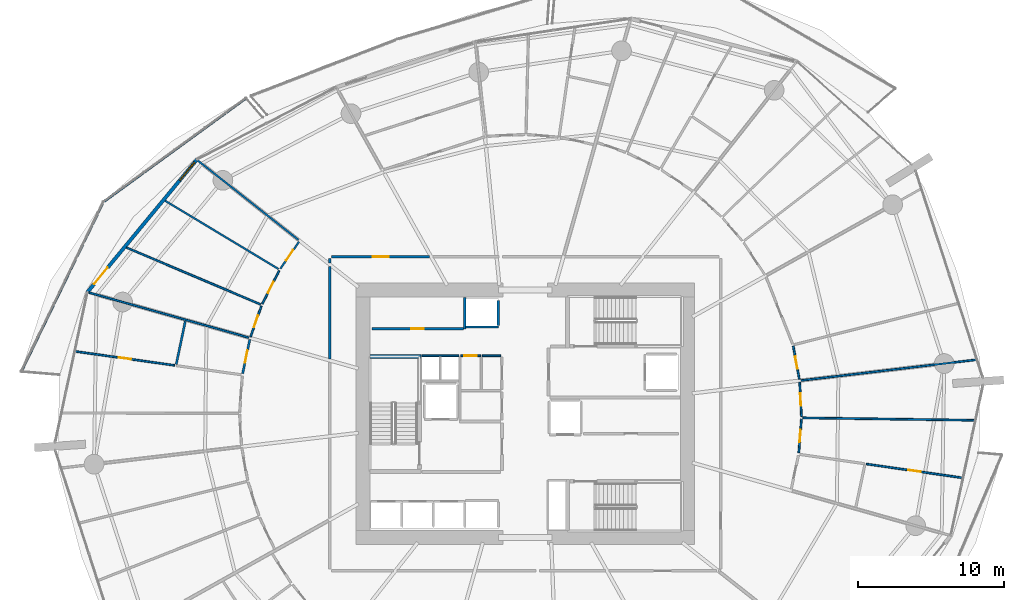
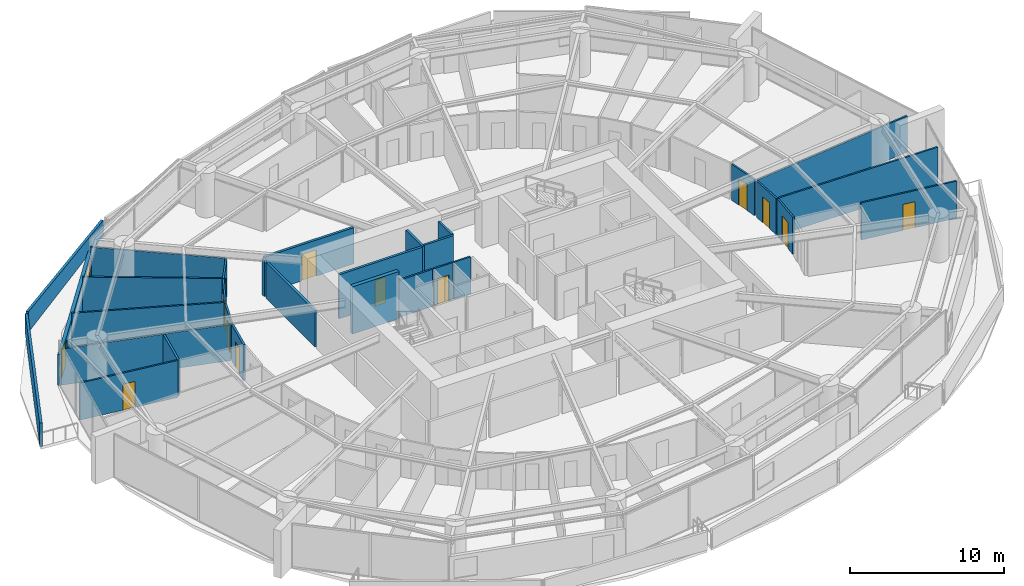
# One storey, part 22 of 31: 30 walls, 13 doors, 1 window, 14 openings.
"""IFC4 building model written with IfcOpenShell, lengths in metres."""

from ifc_helpers import new_model, si_unit, direction, frame, frame_2d, origin, place, context, subcontext, project, spatial, polyline, rectangle, outline, extrude, material, layer, layer_set, type_object, element, fill, save


model = new_model("IFC4")

# Units and contexts
model_context = context("Model", 3, precision=1e-05, world=origin(), true_north=direction((0.0, 1.0)))
body_context = subcontext(model_context, "Body", "Model", "MODEL_VIEW")
ifc_project = project(units=[si_unit("LENGTHUNIT", "METRE"), si_unit("AREAUNIT", "SQUARE_METRE"), si_unit("VOLUMEUNIT", "CUBIC_METRE"), si_unit("PLANEANGLEUNIT", "RADIAN"), si_unit("MASSUNIT", "GRAM", prefix="KILO")], contexts=[model_context])

# Site, building, storey
site_placement = place(None, origin())
site = spatial("IfcSite", under=ifc_project, at=site_placement, CompositionType="ELEMENT")
building_placement = place(site_placement, origin())
building = spatial("IfcBuilding", under=site, at=building_placement, Name="Kazma Halo Residences", CompositionType="ELEMENT")
storey_placement = place(building_placement, frame((0.0, 0.0, 41.39990234375)))
storey = spatial("IfcBuildingStorey", under=building, at=storey_placement, Name="L09", CompositionType="ELEMENT", Elevation=41.39990234375)

# Walls
ifc_material_1 = material(Name="White Concrete C50/60 Balustrade", Category="concrete")
ifc_layer_1 = layer(ifc_material_1, 0.179931640625)
ifc_layer_set_1 = layer_set([ifc_layer_1], Name="White Concrete C50/60 Balustrade")
wall_type_1 = type_object("IfcWallType", Name="WL-BAL-WAVE-180", PredefinedType="PARAPET", material=ifc_layer_set_1)
wall_1_placement = place(storey_placement, frame((29.309326171875, 63.615234375, 0.0), z_axis=(0.0, 0.0, 1.0), x_axis=(-0.808711385096, -0.588205657586, 0.0)))
element("IfcWall", 1, at=wall_1_placement, inside=storey, type_object=wall_type_1, Name="L09 white wave balustrade wall NW.1", PredefinedType="PARAPET", context=body_context, shape_type="SweptSolid", body=[
    extrude(outline(polyline([(0.0, 0.0), (11.96875, 0.0), (11.968505859375, 1.632080078125), (5.984375, 1.418212890625), (0.0, 1.233154296875), (0.0, 0.0)])), frame((0.0, 0.08984375, 0.0), z_axis=(0.0, -1.0, 0.0), x_axis=(1.0, 0.0, 0.0)), (0.0, 0.0, 1.0), 0.179931640625),
])
wall_2_placement = place(storey_placement, frame((19.48095703125, 56.396484375, 0.0), z_axis=(0.0, 0.0, 1.0), x_axis=(-0.435391138538, -0.900241387897, 0.0)))
element("IfcWall", 2, at=wall_2_placement, inside=storey, type_object=wall_type_1, Name="L09 white wave balustrade wall NW.2", PredefinedType="PARAPET", context=body_context, shape_type="SweptSolid", body=[
    extrude(outline(polyline([(0.0, 0.0), (12.779296875, 0.0), (12.779296875, 1.860107421875), (6.3896484375, 1.798095703125), (0.0, 1.632080078125), (0.0, 0.0)])), frame((0.0, 0.08984375, 0.0), z_axis=(0.0, -1.0, 0.0), x_axis=(1.0, 0.0, 0.0)), (0.0, 0.0, 1.0), 0.179931640625),
])
ifc_material_2 = material(Name="Concrete C60/75", Category="concrete")
ifc_layer_2 = layer(ifc_material_2, 0.280029296875)
ifc_layer_set_2 = layer_set([ifc_layer_2], Name="Concrete C60/75")
wall_type_2 = type_object("IfcWallType", Name="WL-CORE-ST-280", PredefinedType="SHEAR", material=ifc_layer_set_2)
wall_3_placement = place(storey_placement, frame((37.800048828125, 45.93994140625, 0.0), z_axis=(0.0, 0.0, 1.0), x_axis=(1.0, 0.0, 0.0)))
element("IfcWall", 3, at=wall_3_placement, inside=storey, type_object=wall_type_2, Name="L09 stairwell bearing wall ST01-N", PredefinedType="SHEAR", context=body_context, shape_type="SweptSolid", body=[
    extrude(rectangle(XDim=3.5, YDim=0.280029296875, at=frame_2d((1.75, 0.0))), origin(), (0.0, 0.0, 1.0), 3.75),
])

# Wall, opening, door
ifc_material_3 = material(Name="Acoustic Twin-Stud Gypsum")
ifc_layer_3 = layer(ifc_material_3, 0.179931640625)
ifc_layer_set_3 = layer_set([ifc_layer_3], Name="Acoustic Twin-Stud Gypsum")
wall_type_3 = type_object("IfcWallType", Name="WL-DEM-180", PredefinedType="PARTITIONING", material=ifc_layer_set_3)
wall_4_placement = place(storey_placement, frame((41.859619140625, 52.75, 0.0), z_axis=(0.0, 0.0, 1.0), x_axis=(-1.0, 0.0, 0.0)))
wall_4 = element("IfcWall", 4, at=wall_4_placement, inside=storey, type_object=wall_type_3, Name="L09 Apartment 1 entrance corridor wall", PredefinedType="PARTITIONING", context=body_context, shape_type="SweptSolid", body=[
    extrude(rectangle(XDim=6.689697265625, YDim=0.179931640625, at=frame_2d((3.3447265625, 0.0))), origin(), (0.0, 0.0, 1.0), 2.8671875),
])
opening_1_placement = place(wall_4_placement, frame((2.794921875, 0.0, 0.0)))
opening_1 = element("IfcOpeningElement", 5, at=opening_1_placement, cuts=wall_4, Name="Opening DA-1100", PredefinedType="OPENING", context=body_context, shape_type="SweptSolid", body=[
    extrude(rectangle(XDim=1.10009765625, YDim=2.10009765625, at=frame_2d((0.550048828125, 1.050048828125))), frame((0.0, 0.099853515625, 0.0), z_axis=(0.0, -1.0, 0.0), x_axis=(1.0, 0.0, 0.0)), (0.0, 0.0, 1.0), 0.199951171875),
])
ifc_material_4 = material(Name="Acoustic Walnut Fire Leaf")
door_type_1 = type_object("IfcDoorType", Name="DR-FD60-1100", OperationType="NOTDEFINED", PredefinedType="DOOR", material=ifc_material_4)
door_1_placement = place(opening_1_placement, origin())
door_1 = element("IfcDoor", 6, at=door_1_placement, inside=storey, type_object=door_type_1, Name="L09 Apartment 1 entrance fire door", OperationType="SINGLE_SWING_LEFT", OverallHeight=2.10009765625, OverallWidth=1.10009765625, PredefinedType="DOOR", context=body_context, shape_type="SweptSolid", body=[
    extrude(rectangle(XDim=1.10009765625, YDim=2.10009765625, at=frame_2d((0.550048828125, 1.050048828125))), frame((0.0, 0.02490234375, 0.0), z_axis=(0.0, -1.0, 0.0), x_axis=(1.0, 0.0, 0.0)), (0.0, 0.0, 1.0), 0.050048828125),
])
fill(opening_1, door_1)

# Walls
wall_5_placement = place(storey_placement, frame((35.050048828125, 52.6298828125, 0.0), z_axis=(0.0, 0.0, 1.0), x_axis=(0.0, -1.0, 0.0)))
element("IfcWall", 7, at=wall_5_placement, inside=storey, type_object=wall_type_3, Name="L09 Apartment 1 entrance corridor wall", PredefinedType="PARTITIONING", context=body_context, shape_type="SweptSolid", body=[
    extrude(rectangle(XDim=0.30078125, YDim=0.179931640625, at=frame_2d((0.150390625, 0.0))), origin(), (0.0, 0.0, 1.0), 2.8671875),
])
wall_6_placement = place(storey_placement, frame((35.050048828125, 52.089111328125, 0.0), z_axis=(0.0, 0.0, 1.0), x_axis=(0.0, -1.0, 0.0)))
element("IfcWall", 8, at=wall_6_placement, inside=storey, type_object=wall_type_3, Name="L09 Apartment 1 inner wall 5", PredefinedType="PARTITIONING", context=body_context, shape_type="SweptSolid", body=[
    extrude(rectangle(XDim=6.31689453125, YDim=0.179931640625, at=frame_2d((3.158447265625, 0.0))), origin(), (0.0, 0.0, 1.0), 2.8671875),
])

# Wall, openings, door, window
ifc_material_5 = material(Name="Insulated Pale-Metal Composite Wall")
ifc_layer_4 = layer(ifc_material_5, 0.239990234375)
ifc_layer_set_4 = layer_set([ifc_layer_4], Name="Insulated Pale-Metal Composite Wall")
wall_type_4 = type_object("IfcWallType", Name="WL-EXT-HOST-240", PredefinedType="SOLIDWALL", material=ifc_layer_set_4)
wall_7_placement = place(storey_placement, frame((25.966796875, 59.433349609375, 0.0), z_axis=(0.0, 0.0, 1.0), x_axis=(-0.636674332663, -0.771132799281, 0.0)))
wall_7 = element("IfcWall", 9, at=wall_7_placement, inside=storey, type_object=wall_type_4, Name="L09 exterior terrace-access wall B06", PredefinedType="SOLIDWALL", context=body_context, shape_type="SweptSolid", body=[
    extrude(rectangle(XDim=11.851318359375, YDim=0.239990234375, at=frame_2d((5.92578125, 0.0))), origin(), (0.0, 0.0, 1.0), 2.4501953125),
])
opening_2_placement = place(wall_7_placement, frame((9.631103515625, 0.0, 0.0)))
opening_2 = element("IfcOpeningElement", 10, at=opening_2_placement, cuts=wall_7, Name="Opening DTR-1600", PredefinedType="OPENING", context=body_context, shape_type="SweptSolid", body=[
    extrude(rectangle(XDim=1.449951171875, YDim=2.14990234375, at=frame_2d((0.72509765625, 1.074951171875))), frame((0.0, 0.1298828125, 0.0), z_axis=(0.0, -1.0, 0.0), x_axis=(1.0, 0.0, 0.0)), (0.0, 0.0, 1.0), 0.260009765625),
])
opening_3_placement = place(wall_7_placement, frame((0.280029296875, 0.0, 0.64990234375)))
opening_3 = element("IfcOpeningElement", 11, at=opening_3_placement, cuts=wall_7, Name="Opening W-1800", PredefinedType="OPENING", context=body_context, shape_type="SweptSolid", body=[
    extrude(rectangle(XDim=1.60009765625, YDim=1.5, at=frame_2d((0.800048828125, 0.75))), frame((0.0, 0.1298828125, 0.0), z_axis=(0.0, -1.0, 0.0), x_axis=(1.0, 0.0, 0.0)), (0.0, 0.0, 1.0), 0.260009765625),
])
ifc_material_6 = material(Name="Aluminium AW-6063 T6 Double-Glazed Terrace Door", Category="aluminium")
door_type_2 = type_object("IfcDoorType", Name="DR-EXT-TERR-1600", OperationType="NOTDEFINED", PredefinedType="DOOR", material=ifc_material_6)
door_2_placement = place(opening_2_placement, origin())
door_2 = element("IfcDoor", 12, at=door_2_placement, inside=storey, type_object=door_type_2, Name="L09 B06 balcony terrace door", OperationType="DOUBLE_DOOR_SLIDING", OverallHeight=2.14990234375, OverallWidth=1.449951171875, PredefinedType="DOOR", context=body_context, shape_type="SweptSolid", body=[
    extrude(rectangle(XDim=1.449951171875, YDim=2.14990234375, at=frame_2d((0.72509765625, 1.074951171875))), frame((0.0, 0.02490234375, 0.0), z_axis=(0.0, -1.0, 0.0), x_axis=(1.0, 0.0, 0.0)), (0.0, 0.0, 1.0), 0.050048828125),
])
fill(opening_2, door_2)
ifc_material_7 = material(Name="Clear Triple-Silver Low-E Glass in Aluminium AW-6063 T6 Frame", Category="aluminium")
window_type = type_object("IfcWindowType", Name="WIN-RES-1800", PartitioningType="DOUBLE_PANEL_VERTICAL", PredefinedType="WINDOW", material=ifc_material_7)
window_placement = place(opening_3_placement, origin())
window = element("IfcWindow", 13, at=window_placement, inside=storey, type_object=window_type, Name="L09 B06 apartment window", OverallHeight=1.5, OverallWidth=1.60009765625, PartitioningType="SINGLE_PANEL", PredefinedType="WINDOW", context=body_context, shape_type="SweptSolid", body=[
    extrude(rectangle(XDim=1.60009765625, YDim=1.5, at=frame_2d((0.800048828125, 0.75))), frame((0.0, 0.030029296875, 0.0), z_axis=(0.0, -1.0, 0.0), x_axis=(1.0, 0.0, 0.0)), (0.0, 0.0, 1.0), 0.06005859375),
])
fill(opening_3, window)

# Walls
ifc_material_8 = material(Name="Fire-Rated Blockwork Masonry", Category="masonry")
ifc_layer_5 = layer(ifc_material_8, 0.199951171875)
ifc_layer_set_5 = layer_set([ifc_layer_5], Name="Fire-Rated Blockwork Masonry")
wall_type_5 = type_object("IfcWallType", Name="WL-FLB-200", PredefinedType="PARTITIONING", material=ifc_layer_set_5)
wall_8_placement = place(storey_placement, frame((46.580078125, 47.945068359375, 0.0), z_axis=(0.0, 0.0, 1.0), x_axis=(-1.0, 0.0, 0.0)))
element("IfcWall", 14, at=wall_8_placement, inside=storey, type_object=wall_type_5, Name="L09 lift shaft PX-01 front wall", PredefinedType="PARTITIONING", context=body_context, shape_type="SweptSolid", body=[
    extrude(rectangle(XDim=2.260009765625, YDim=0.159912109375, at=frame_2d((1.1298828125, 0.0))), origin(), (0.0, 0.0, 1.0), 3.5),
])
wall_9_placement = place(storey_placement, frame((46.580078125, 48.044921875, 0.0), z_axis=(0.0, 0.0, 1.0), x_axis=(0.0, 1.0, 0.0)))
element("IfcWall", 15, at=wall_9_placement, inside=storey, type_object=wall_type_5, Name="L09 lift shaft PX-01 side wall E", PredefinedType="PARTITIONING", context=body_context, shape_type="SweptSolid", body=[
    extrude(rectangle(XDim=1.7099609375, YDim=0.159912109375, at=frame_2d((0.85498046875, 0.0))), origin(), (0.0, 0.0, 1.0), 3.5),
])

# Wall, opening, door
wall_10_placement = place(storey_placement, frame((37.919921875, 47.820068359375, 0.0), z_axis=(0.0, 0.0, 1.0), x_axis=(1.0, 0.0, 0.0)))
wall_10 = element("IfcWall", 16, at=wall_10_placement, inside=storey, type_object=wall_type_5, Name="L09 core north reserve wall", PredefinedType="PARTITIONING", context=body_context, shape_type="SweptSolid", body=[
    extrude(rectangle(XDim=6.260009765625, YDim=0.179931640625, at=frame_2d((3.1298828125, 0.0))), origin(), (0.0, 0.0, 1.0), 3.5),
])
opening_4_placement = place(wall_10_placement, frame((2.705078125, 0.0, 0.0)))
opening_4 = element("IfcOpeningElement", 17, at=opening_4_placement, cuts=wall_10, Name="Opening DS-850", PredefinedType="OPENING", context=body_context, shape_type="SweptSolid", body=[
    extrude(rectangle(XDim=0.85009765625, YDim=2.06005859375, at=frame_2d((0.425048828125, 1.030029296875))), frame((0.0, 0.099853515625, 0.0), z_axis=(0.0, -1.0, 0.0), x_axis=(1.0, 0.0, 0.0)), (0.0, 0.0, 1.0), 0.199951171875),
])
ifc_material_9 = material(Name="Painted Steel Access Leaf", Category="steel")
door_type_3 = type_object("IfcDoorType", Name="DR-SVC-850", OperationType="NOTDEFINED", PredefinedType="DOOR", material=ifc_material_9)
door_3_placement = place(opening_4_placement, origin())
door_3 = element("IfcDoor", 18, at=door_3_placement, inside=storey, type_object=door_type_3, Name="L09 core north reserve door", OperationType="SINGLE_SWING_LEFT", OverallHeight=2.06005859375, OverallWidth=0.85009765625, PredefinedType="DOOR", context=body_context, shape_type="SweptSolid", body=[
    extrude(rectangle(XDim=0.85009765625, YDim=2.06005859375, at=frame_2d((0.425048828125, 1.030029296875))), frame((0.0, 0.02490234375, 0.0), z_axis=(0.0, -1.0, 0.0), x_axis=(1.0, 0.0, 0.0)), (0.0, 0.0, 1.0), 0.050048828125),
])
fill(opening_4, door_3)

# Walls
wall_11_placement = place(storey_placement, frame((44.280029296875, 47.820068359375, 0.0), z_axis=(0.0, 0.0, 1.0), x_axis=(0.0, 1.0, 0.0)))
element("IfcWall", 19, at=wall_11_placement, inside=storey, type_object=wall_type_5, Name="L09 PX-01 hoistway west wall", PredefinedType="PARTITIONING", context=body_context, shape_type="SweptSolid", body=[
    extrude(rectangle(XDim=2.1298828125, YDim=0.179931640625, at=frame_2d((1.06494140625, 0.0))), origin(), (0.0, 0.0, 1.0), 3.5),
])
ifc_material_10 = material(Name="Gypsum Plasterboard Partition")
ifc_layer_6 = layer(ifc_material_10, 0.125)
ifc_layer_set_6 = layer_set([ifc_layer_6], Name="Gypsum Plasterboard Partition")
wall_type_6 = type_object("IfcWallType", Name="WL-PART-125", PredefinedType="PARTITIONING", material=ifc_layer_set_6)
wall_12_placement = place(storey_placement, frame((41.35009765625, 45.97998046875, 0.0), z_axis=(0.0, 0.0, 1.0), x_axis=(1.0, 0.0, 0.0)))
element("IfcWall", 20, at=wall_12_placement, inside=storey, type_object=wall_type_6, Name="L09 core riser NW wall", PredefinedType="PARTITIONING", context=body_context, shape_type="SweptSolid", body=[
    extrude(rectangle(XDim=2.52978515625, YDim=0.125, at=frame_2d((1.264892578125, 0.0))), origin(), (0.0, 0.0, 1.0), 2.940185546875),
])

# Wall, opening, door
wall_13_placement = place(storey_placement, frame((43.989990234375, 45.97998046875, 0.0), z_axis=(0.0, 0.0, 1.0), x_axis=(1.0, 0.0, 0.0)))
wall_13 = element("IfcWall", 21, at=wall_13_placement, inside=storey, type_object=wall_type_6, Name="L09 cleaners cupboard north wall", PredefinedType="PARTITIONING", context=body_context, shape_type="SweptSolid", body=[
    extrude(rectangle(XDim=1.380126953125, YDim=0.125, at=frame_2d((0.68994140625, 0.0))), origin(), (0.0, 0.0, 1.0), 2.940185546875),
])
opening_5_placement = place(wall_13_placement, frame((0.264892578125, 0.0, 0.0)))
opening_5 = element("IfcOpeningElement", 22, at=opening_5_placement, cuts=wall_13, Name="Opening DS-850", PredefinedType="OPENING", context=body_context, shape_type="SweptSolid", body=[
    extrude(rectangle(XDim=0.85009765625, YDim=2.06005859375, at=frame_2d((0.425048828125, 1.030029296875))), frame((0.0, 0.072509765625, 0.0), z_axis=(0.0, -1.0, 0.0), x_axis=(1.0, 0.0, 0.0)), (0.0, 0.0, 1.0), 0.14501953125),
])
door_4_placement = place(opening_5_placement, origin())
door_4 = element("IfcDoor", 23, at=door_4_placement, inside=storey, type_object=door_type_3, Name="L09 cleaners cupboard door", OperationType="SINGLE_SWING_RIGHT", OverallHeight=2.06005859375, OverallWidth=0.85009765625, PredefinedType="DOOR", context=body_context, shape_type="SweptSolid", body=[
    extrude(rectangle(XDim=0.85009765625, YDim=2.06005859375, at=frame_2d((0.425048828125, 1.030029296875))), frame((0.0, 0.02490234375, 0.0), z_axis=(0.0, -1.0, 0.0), x_axis=(1.0, 0.0, 0.0)), (0.0, 0.0, 1.0), 0.050048828125),
])
fill(opening_5, door_4)

# Walls
wall_14_placement = place(storey_placement, frame((45.47998046875, 45.97998046875, 0.0), z_axis=(0.0, 0.0, 1.0), x_axis=(1.0, 0.0, 0.0)))
element("IfcWall", 24, at=wall_14_placement, inside=storey, type_object=wall_type_6, Name="L09 sub-metering north wall", PredefinedType="PARTITIONING", context=body_context, shape_type="SweptSolid", body=[
    extrude(rectangle(XDim=1.260009765625, YDim=0.125, at=frame_2d((0.6298828125, 0.0))), origin(), (0.0, 0.0, 1.0), 2.940185546875),
])
wall_15_placement = place(storey_placement, frame((32.8984375, 53.9052734375, 0.0), z_axis=(0.0, 0.0, 1.0), x_axis=(-0.78532854108, 0.619079221558, 0.0)))
element("IfcWall", 25, at=wall_15_placement, inside=storey, type_object=wall_type_6, Name="L09 Apartment 1 radial partition 5", PredefinedType="PARTITIONING", context=body_context, shape_type="SweptSolid", body=[
    extrude(rectangle(XDim=8.842041015625, YDim=0.125, at=frame_2d((4.4208984375, 0.0))), origin(), (0.0, 0.0, 1.0), 2.8671875),
])
wall_16_placement = place(storey_placement, frame((31.533935546875, 51.913330078125, 0.0), z_axis=(0.0, 0.0, 1.0), x_axis=(-0.856706990958, 0.515803384676, 0.0)))
element("IfcWall", 26, at=wall_16_placement, inside=storey, type_object=wall_type_6, Name="L09 Apartment 1 bay wall 1 5", PredefinedType="PARTITIONING", context=body_context, shape_type="SweptSolid", body=[
    extrude(rectangle(XDim=9.056640625, YDim=0.125, at=frame_2d((4.5283203125, 0.0))), origin(), (0.0, 0.0, 1.0), 2.940185546875),
])
wall_17_placement = place(storey_placement, frame((30.30126953125, 49.494384765625, 0.0), z_axis=(0.0, 0.0, 1.0), x_axis=(-0.920840746031, 0.389938867579, 0.0)))
element("IfcWall", 27, at=wall_17_placement, inside=storey, type_object=wall_type_6, Name="L09 Apartment 1 bay wall 2 5", PredefinedType="PARTITIONING", context=body_context, shape_type="SweptSolid", body=[
    extrude(rectangle(XDim=9.965576171875, YDim=0.125, at=frame_2d((4.98291015625, 0.0))), origin(), (0.0, 0.0, 1.0), 2.940185546875),
])

# Wall, opening, door
wall_18_placement = place(storey_placement, frame((32.931396484375, 53.777587890625, 0.0), z_axis=(0.0, 0.0, 1.0), x_axis=(-0.568541738061, -0.822654418382, 0.0)))
wall_18 = element("IfcWall", 28, at=wall_18_placement, inside=storey, type_object=wall_type_6, Name="L09 Apartment 1 Inner Bedroom hall wall", PredefinedType="PARTITIONING", context=body_context, shape_type="SweptSolid", body=[
    extrude(rectangle(XDim=2.242431640625, YDim=0.125, at=frame_2d((1.12109375, 0.0))), origin(), (0.0, 0.0, 1.0), 2.8671875),
])
opening_6_placement = place(wall_18_placement, frame((0.6962890625, 0.0, 0.0)))
opening_6 = element("IfcOpeningElement", 29, at=opening_6_placement, cuts=wall_18, Name="Opening DB-900", PredefinedType="OPENING", context=body_context, shape_type="SweptSolid", body=[
    extrude(rectangle(XDim=0.85009765625, YDim=2.06005859375, at=frame_2d((0.425048828125, 1.030029296875))), frame((0.0, 0.072509765625, 0.0), z_axis=(0.0, -1.0, 0.0), x_axis=(1.0, 0.0, 0.0)), (0.0, 0.0, 1.0), 0.14501953125),
])
ifc_material_11 = material(Name="Moisture-Sealed Timber Leaf", Category="wood")
door_type_4 = type_object("IfcDoorType", Name="DR-BTH-900", OperationType="NOTDEFINED", PredefinedType="DOOR", material=ifc_material_11)
door_5_placement = place(opening_6_placement, origin())
door_5 = element("IfcDoor", 30, at=door_5_placement, inside=storey, type_object=door_type_4, Name="L09 Apartment 1 Inner Bedroom door", OperationType="SINGLE_SWING_RIGHT", OverallHeight=2.06005859375, OverallWidth=0.85009765625, PredefinedType="DOOR", context=body_context, shape_type="SweptSolid", body=[
    extrude(rectangle(XDim=0.85009765625, YDim=2.06005859375, at=frame_2d((0.425048828125, 1.030029296875))), frame((0.0, 0.02490234375, 0.0), z_axis=(0.0, -1.0, 0.0), x_axis=(1.0, 0.0, 0.0)), (0.0, 0.0, 1.0), 0.050048828125),
])
fill(opening_6, door_5)

wall_19_placement = place(storey_placement, frame((31.57470703125, 51.795654296875, 0.0), z_axis=(0.0, 0.0, 1.0), x_axis=(-0.454037986735, -0.890982326762, 0.0)))
wall_19 = element("IfcWall", 31, at=wall_19_placement, inside=storey, type_object=wall_type_6, Name="L09 Apartment 1 Outer Study hall wall", PredefinedType="PARTITIONING", context=body_context, shape_type="SweptSolid", body=[
    extrude(rectangle(XDim=2.542236328125, YDim=0.125, at=frame_2d((1.27099609375, 0.0))), origin(), (0.0, 0.0, 1.0), 2.940185546875),
])
opening_7_placement = place(wall_19_placement, frame((0.84619140625, 0.0, 0.0)))
opening_7 = element("IfcOpeningElement", 32, at=opening_7_placement, cuts=wall_19, Name="Opening DB-900", PredefinedType="OPENING", context=body_context, shape_type="SweptSolid", body=[
    extrude(rectangle(XDim=0.85009765625, YDim=2.06005859375, at=frame_2d((0.425048828125, 1.030029296875))), frame((0.0, 0.072509765625, 0.0), z_axis=(0.0, -1.0, 0.0), x_axis=(1.0, 0.0, 0.0)), (0.0, 0.0, 1.0), 0.14501953125),
])
door_6_placement = place(opening_7_placement, origin())
door_6 = element("IfcDoor", 33, at=door_6_placement, inside=storey, type_object=door_type_4, Name="L09 Apartment 1 Outer Study door", OperationType="SINGLE_SWING_LEFT", OverallHeight=2.06005859375, OverallWidth=0.85009765625, PredefinedType="DOOR", context=body_context, shape_type="SweptSolid", body=[
    extrude(rectangle(XDim=0.85009765625, YDim=2.06005859375, at=frame_2d((0.425048828125, 1.030029296875))), frame((0.0, 0.02490234375, 0.0), z_axis=(0.0, -1.0, 0.0), x_axis=(1.0, 0.0, 0.0)), (0.0, 0.0, 1.0), 0.050048828125),
])
fill(opening_7, door_6)

wall_20_placement = place(storey_placement, frame((30.357666015625, 49.3837890625, 0.0), z_axis=(0.0, 0.0, 1.0), x_axis=(-0.331344536708, -0.943509829304, 0.0)))
wall_20 = element("IfcWall", 34, at=wall_20_placement, inside=storey, type_object=wall_type_6, Name="L09 Apartment 1 Corner Bedroom hall wall", PredefinedType="PARTITIONING", context=body_context, shape_type="SweptSolid", body=[
    extrude(rectangle(XDim=2.2421875, YDim=0.125, at=frame_2d((1.12109375, 0.0))), origin(), (0.0, 0.0, 1.0), 2.8671875),
])
opening_8_placement = place(wall_20_placement, frame((0.696044921875, 0.0, 0.0)))
opening_8 = element("IfcOpeningElement", 35, at=opening_8_placement, cuts=wall_20, Name="Opening DB-900", PredefinedType="OPENING", context=body_context, shape_type="SweptSolid", body=[
    extrude(rectangle(XDim=0.85009765625, YDim=2.06005859375, at=frame_2d((0.425048828125, 1.030029296875))), frame((0.0, 0.072509765625, 0.0), z_axis=(0.0, -1.0, 0.0), x_axis=(1.0, 0.0, 0.0)), (0.0, 0.0, 1.0), 0.14501953125),
])
door_7_placement = place(opening_8_placement, origin())
door_7 = element("IfcDoor", 36, at=door_7_placement, inside=storey, type_object=door_type_4, Name="L09 Apartment 1 Corner Bedroom door", OperationType="SINGLE_SWING_RIGHT", OverallHeight=2.06005859375, OverallWidth=0.85009765625, PredefinedType="DOOR", context=body_context, shape_type="SweptSolid", body=[
    extrude(rectangle(XDim=0.85009765625, YDim=2.06005859375, at=frame_2d((0.425048828125, 1.030029296875))), frame((0.0, 0.02490234375, 0.0), z_axis=(0.0, -1.0, 0.0), x_axis=(1.0, 0.0, 0.0)), (0.0, 0.0, 1.0), 0.050048828125),
])
fill(opening_8, door_7)

# Wall
wall_21_placement = place(storey_placement, frame((29.491943359375, 47.2197265625, 0.0), z_axis=(0.0, 0.0, 1.0), x_axis=(-0.962454721813, 0.271442274635, 0.0)))
element("IfcWall", 37, at=wall_21_placement, inside=storey, type_object=wall_type_6, Name="L09 Apartment 1 radial partition 6", PredefinedType="PARTITIONING", context=body_context, shape_type="SweptSolid", body=[
    extrude(rectangle(XDim=11.344482421875, YDim=0.125, at=frame_2d((5.67236328125, 0.0))), origin(), (0.0, 0.0, 1.0), 2.8671875),
])

# Wall, opening, door
wall_22_placement = place(storey_placement, frame((24.42236328125, 45.31787109375, 0.0), z_axis=(0.0, 0.0, 1.0), x_axis=(-0.990243959665, 0.139344538274, 0.0)))
wall_22 = element("IfcWall", 38, at=wall_22_placement, inside=storey, type_object=wall_type_6, Name="L09 Apartment 1 Sky Walk-In Wardrobe partition wall", PredefinedType="PARTITIONING", context=body_context, shape_type="SweptSolid", body=[
    extrude(rectangle(XDim=6.88037109375, YDim=0.125, at=frame_2d((3.440185546875, 0.0))), origin(), (0.0, 0.0, 1.0), 2.940185546875),
])
opening_9_placement = place(wall_22_placement, frame((3.01513671875, 0.0, 0.0)))
opening_9 = element("IfcOpeningElement", 39, at=opening_9_placement, cuts=wall_22, Name="Opening DB-900", PredefinedType="OPENING", context=body_context, shape_type="SweptSolid", body=[
    extrude(rectangle(XDim=0.85009765625, YDim=2.06005859375, at=frame_2d((0.425048828125, 1.030029296875))), frame((0.0, 0.072509765625, 0.0), z_axis=(0.0, -1.0, 0.0), x_axis=(1.0, 0.0, 0.0)), (0.0, 0.0, 1.0), 0.14501953125),
])
door_8_placement = place(opening_9_placement, origin())
door_8 = element("IfcDoor", 40, at=door_8_placement, inside=storey, type_object=door_type_4, Name="L09 Apartment 1 Sky Walk-In Wardrobe door", OperationType="SINGLE_SWING_LEFT", OverallHeight=2.06005859375, OverallWidth=0.85009765625, PredefinedType="DOOR", context=body_context, shape_type="SweptSolid", body=[
    extrude(rectangle(XDim=0.85009765625, YDim=2.06005859375, at=frame_2d((0.425048828125, 1.030029296875))), frame((0.0, 0.02490234375, 0.0), z_axis=(0.0, -1.0, 0.0), x_axis=(1.0, 0.0, 0.0)), (0.0, 0.0, 1.0), 0.050048828125),
])
fill(opening_9, door_8)

wall_23_placement = place(storey_placement, frame((71.766845703125, 38.56982421875, 0.0), z_axis=(0.0, 0.0, 1.0), x_axis=(0.989747166196, -0.142830483468, 0.0)))
wall_23 = element("IfcWall", 41, at=wall_23_placement, inside=storey, type_object=wall_type_6, Name="L09 Apartment 3 Utility Laundry Room partition wall", PredefinedType="PARTITIONING", context=body_context, shape_type="SweptSolid", body=[
    extrude(rectangle(XDim=6.669677734375, YDim=0.125, at=frame_2d((3.3349609375, 0.0))), origin(), (0.0, 0.0, 1.0), 2.940185546875),
])
opening_10_placement = place(wall_23_placement, frame((2.909912109375, 0.0, 0.0)))
opening_10 = element("IfcOpeningElement", 42, at=opening_10_placement, cuts=wall_23, Name="Opening DB-900", PredefinedType="OPENING", context=body_context, shape_type="SweptSolid", body=[
    extrude(rectangle(XDim=0.85009765625, YDim=2.06005859375, at=frame_2d((0.425048828125, 1.030029296875))), frame((0.0, 0.072509765625, 0.0), z_axis=(0.0, -1.0, 0.0), x_axis=(1.0, 0.0, 0.0)), (0.0, 0.0, 1.0), 0.14501953125),
])
door_9_placement = place(opening_10_placement, origin())
door_9 = element("IfcDoor", 43, at=door_9_placement, inside=storey, type_object=door_type_4, Name="L09 Apartment 3 Utility Laundry Room door", OperationType="SINGLE_SWING_LEFT", OverallHeight=2.06005859375, OverallWidth=0.85009765625, PredefinedType="DOOR", context=body_context, shape_type="SweptSolid", body=[
    extrude(rectangle(XDim=0.85009765625, YDim=2.06005859375, at=frame_2d((0.425048828125, 1.030029296875))), frame((0.0, 0.02490234375, 0.0), z_axis=(0.0, -1.0, 0.0), x_axis=(1.0, 0.0, 0.0)), (0.0, 0.0, 1.0), 0.050048828125),
])
fill(opening_10, door_9)

# Wall
wall_24_placement = place(storey_placement, frame((67.421142578125, 41.726806640625, 0.0), z_axis=(0.0, 0.0, 1.0), x_axis=(0.999900926594, -0.014076114402, 0.0)))
element("IfcWall", 44, at=wall_24_placement, inside=storey, type_object=wall_type_6, Name="L09 Apartment 3 suite divider 14", PredefinedType="PARTITIONING", context=body_context, shape_type="SweptSolid", body=[
    extrude(rectangle(XDim=11.794189453125, YDim=0.125, at=frame_2d((5.89697265625, 0.0))), origin(), (0.0, 0.0, 1.0), 2.940185546875),
])

# Wall, opening, door
wall_25_placement = place(storey_placement, frame((67.141845703125, 39.328125, 0.0), z_axis=(0.0, 0.0, 1.0), x_axis=(0.078573538032, 0.996908320319, 0.0)))
wall_25 = element("IfcWall", 45, at=wall_25_placement, inside=storey, type_object=wall_type_6, Name="L09 Apartment 3 Gourmet Kitchen hall wall", PredefinedType="PARTITIONING", context=body_context, shape_type="SweptSolid", body=[
    extrude(rectangle(XDim=2.3271484375, YDim=0.125, at=frame_2d((1.16357421875, 0.0))), origin(), (0.0, 0.0, 1.0), 2.940185546875),
])
opening_11_placement = place(wall_25_placement, frame((0.73876953125, 0.0, 0.0)))
opening_11 = element("IfcOpeningElement", 46, at=opening_11_placement, cuts=wall_25, Name="Opening DB-900", PredefinedType="OPENING", context=body_context, shape_type="SweptSolid", body=[
    extrude(rectangle(XDim=0.85009765625, YDim=2.06005859375, at=frame_2d((0.425048828125, 1.030029296875))), frame((0.0, 0.072509765625, 0.0), z_axis=(0.0, -1.0, 0.0), x_axis=(1.0, 0.0, 0.0)), (0.0, 0.0, 1.0), 0.14501953125),
])
door_10_placement = place(opening_11_placement, origin())
door_10 = element("IfcDoor", 47, at=door_10_placement, inside=storey, type_object=door_type_4, Name="L09 Apartment 3 Gourmet Kitchen door", OperationType="SINGLE_SWING_RIGHT", OverallHeight=2.06005859375, OverallWidth=0.85009765625, PredefinedType="DOOR", context=body_context, shape_type="SweptSolid", body=[
    extrude(rectangle(XDim=0.85009765625, YDim=2.06005859375, at=frame_2d((0.425048828125, 1.030029296875))), frame((0.0, 0.02490234375, 0.0), z_axis=(0.0, -1.0, 0.0), x_axis=(1.0, 0.0, 0.0)), (0.0, 0.0, 1.0), 0.050048828125),
])
fill(opening_11, door_10)

wall_26_placement = place(storey_placement, frame((67.326904296875, 41.807861328125, 0.0), z_axis=(0.0, 0.0, 1.0), x_axis=(-0.05186073985, 0.998654326412, 0.0)))
wall_26 = element("IfcWall", 48, at=wall_26_placement, inside=storey, type_object=wall_type_6, Name="L09 Apartment 3 Master Bedroom hall wall", PredefinedType="PARTITIONING", context=body_context, shape_type="SweptSolid", body=[
    extrude(rectangle(XDim=2.367919921875, YDim=0.125, at=frame_2d((1.18408203125, 0.0))), origin(), (0.0, 0.0, 1.0), 2.8671875),
])
opening_12_placement = place(wall_26_placement, frame((0.7587890625, 0.0, 0.0)))
opening_12 = element("IfcOpeningElement", 49, at=opening_12_placement, cuts=wall_26, Name="Opening DB-900", PredefinedType="OPENING", context=body_context, shape_type="SweptSolid", body=[
    extrude(rectangle(XDim=0.85009765625, YDim=2.06005859375, at=frame_2d((0.425048828125, 1.030029296875))), frame((0.0, 0.072509765625, 0.0), z_axis=(0.0, -1.0, 0.0), x_axis=(1.0, 0.0, 0.0)), (0.0, 0.0, 1.0), 0.14501953125),
])
door_11_placement = place(opening_12_placement, origin())
door_11 = element("IfcDoor", 50, at=door_11_placement, inside=storey, type_object=door_type_4, Name="L09 Apartment 3 Master Bedroom door", OperationType="SINGLE_SWING_LEFT", OverallHeight=2.06005859375, OverallWidth=0.85009765625, PredefinedType="DOOR", context=body_context, shape_type="SweptSolid", body=[
    extrude(rectangle(XDim=0.85009765625, YDim=2.06005859375, at=frame_2d((0.425048828125, 1.030029296875))), frame((0.0, 0.02490234375, 0.0), z_axis=(0.0, -1.0, 0.0), x_axis=(1.0, 0.0, 0.0)), (0.0, 0.0, 1.0), 0.050048828125),
])
fill(opening_12, door_11)

# Wall
wall_27_placement = place(storey_placement, frame((67.29833984375, 44.2841796875, 0.0), z_axis=(0.0, 0.0, 1.0), x_axis=(0.993068589749, 0.117536275483, 0.0)))
element("IfcWall", 51, at=wall_27_placement, inside=storey, type_object=wall_type_6, Name="L09 Apartment 3 radial partition 15", PredefinedType="PARTITIONING", context=body_context, shape_type="SweptSolid", body=[
    extrude(rectangle(XDim=12.105712890625, YDim=0.125, at=frame_2d((6.052734375, 0.0))), origin(), (0.0, 0.0, 1.0), 2.8671875),
])

# Wall, opening, door
wall_28_placement = place(storey_placement, frame((67.180908203125, 44.37060546875, 0.0), z_axis=(0.0, 0.0, 1.0), x_axis=(-0.181165121265, 0.98345269273, 0.0)))
wall_28 = element("IfcWall", 52, at=wall_28_placement, inside=storey, type_object=wall_type_6, Name="L09 Apartment 3 Primary Wine Pantry Store hall wall", PredefinedType="PARTITIONING", context=body_context, shape_type="SweptSolid", body=[
    extrude(rectangle(XDim=2.308349609375, YDim=0.125, at=frame_2d((1.154296875, 0.0))), origin(), (0.0, 0.0, 1.0), 2.8671875),
])
opening_13_placement = place(wall_28_placement, frame((0.729248046875, 0.0, 0.0)))
opening_13 = element("IfcOpeningElement", 53, at=opening_13_placement, cuts=wall_28, Name="Opening DB-900", PredefinedType="OPENING", context=body_context, shape_type="SweptSolid", body=[
    extrude(rectangle(XDim=0.85009765625, YDim=2.06005859375, at=frame_2d((0.425048828125, 1.030029296875))), frame((0.0, 0.072509765625, 0.0), z_axis=(0.0, -1.0, 0.0), x_axis=(1.0, 0.0, 0.0)), (0.0, 0.0, 1.0), 0.14501953125),
])
door_12_placement = place(opening_13_placement, origin())
door_12 = element("IfcDoor", 54, at=door_12_placement, inside=storey, type_object=door_type_4, Name="L09 Apartment 3 Primary Wine Pantry Store door", OperationType="SINGLE_SWING_LEFT", OverallHeight=2.06005859375, OverallWidth=0.85009765625, PredefinedType="DOOR", context=body_context, shape_type="SweptSolid", body=[
    extrude(rectangle(XDim=0.85009765625, YDim=2.06005859375, at=frame_2d((0.425048828125, 1.030029296875))), frame((0.0, 0.02490234375, 0.0), z_axis=(0.0, -1.0, 0.0), x_axis=(1.0, 0.0, 0.0)), (0.0, 0.0, 1.0), 0.050048828125),
])
fill(opening_13, door_12)

ifc_material_12 = material(Name="Moisture-Resistant Gypsum")
ifc_layer_7 = layer(ifc_material_12, 0.14990234375)
ifc_layer_set_7 = layer_set([ifc_layer_7], Name="Moisture-Resistant Gypsum")
wall_type_7 = type_object("IfcWallType", Name="WL-WET-150", PredefinedType="PARTITIONING", material=ifc_layer_set_7)
wall_29_placement = place(storey_placement, frame((29.567626953125, 47.0947265625, 0.0), z_axis=(0.0, 0.0, 1.0), x_axis=(-0.205861309483, -0.978581177654, 0.0)))
wall_29 = element("IfcWall", 55, at=wall_29_placement, inside=storey, type_object=wall_type_7, Name="L09 Apartment 1 Garden En-Suite Bathroom hall wall", PredefinedType="PARTITIONING", context=body_context, shape_type="SweptSolid", body=[
    extrude(rectangle(XDim=2.39208984375, YDim=0.14990234375, at=frame_2d((1.196044921875, 0.0))), origin(), (0.0, 0.0, 1.0), 2.8671875),
])
opening_14_placement = place(wall_29_placement, frame((0.77099609375, 0.0, 0.0)))
opening_14 = element("IfcOpeningElement", 56, at=opening_14_placement, cuts=wall_29, Name="Opening DB-900", PredefinedType="OPENING", context=body_context, shape_type="SweptSolid", body=[
    extrude(rectangle(XDim=0.85009765625, YDim=2.06005859375, at=frame_2d((0.425048828125, 1.030029296875))), frame((0.0, 0.0849609375, 0.0), z_axis=(0.0, -1.0, 0.0), x_axis=(1.0, 0.0, 0.0)), (0.0, 0.0, 1.0), 0.169921875),
])
door_13_placement = place(opening_14_placement, origin())
door_13 = element("IfcDoor", 57, at=door_13_placement, inside=storey, type_object=door_type_4, Name="L09 Apartment 1 Garden En-Suite Bathroom door", OperationType="SINGLE_SWING_RIGHT", OverallHeight=2.06005859375, OverallWidth=0.85009765625, PredefinedType="DOOR", context=body_context, shape_type="SweptSolid", body=[
    extrude(rectangle(XDim=0.85009765625, YDim=2.06005859375, at=frame_2d((0.425048828125, 1.030029296875))), frame((0.0, 0.02490234375, 0.0), z_axis=(0.0, -1.0, 0.0), x_axis=(1.0, 0.0, 0.0)), (0.0, 0.0, 1.0), 0.050048828125),
])
fill(opening_14, door_13)

# Wall
wall_30_placement = place(storey_placement, frame((25.14990234375, 48.3408203125, 0.0), z_axis=(0.0, 0.0, 1.0), x_axis=(-0.205879759174, -0.978577296264, 0.0)))
element("IfcWall", 58, at=wall_30_placement, inside=storey, type_object=wall_type_7, Name="L09 Apartment 1 Garden En-Suite Bathroom back wall", PredefinedType="PARTITIONING", context=body_context, shape_type="SweptSolid", body=[
    extrude(rectangle(XDim=3.011962890625, YDim=0.14990234375, at=frame_2d((1.505859375, 0.0))), origin(), (0.0, 0.0, 1.0), 2.8671875),
])

save(model, "model.ifc")
